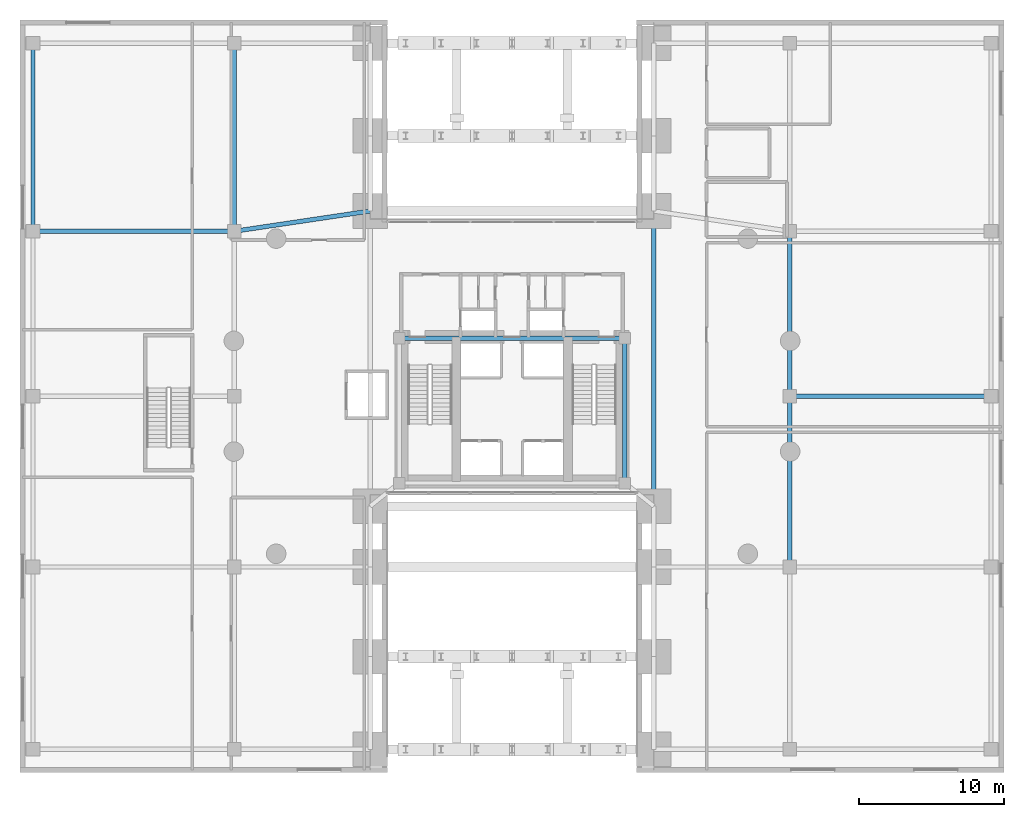
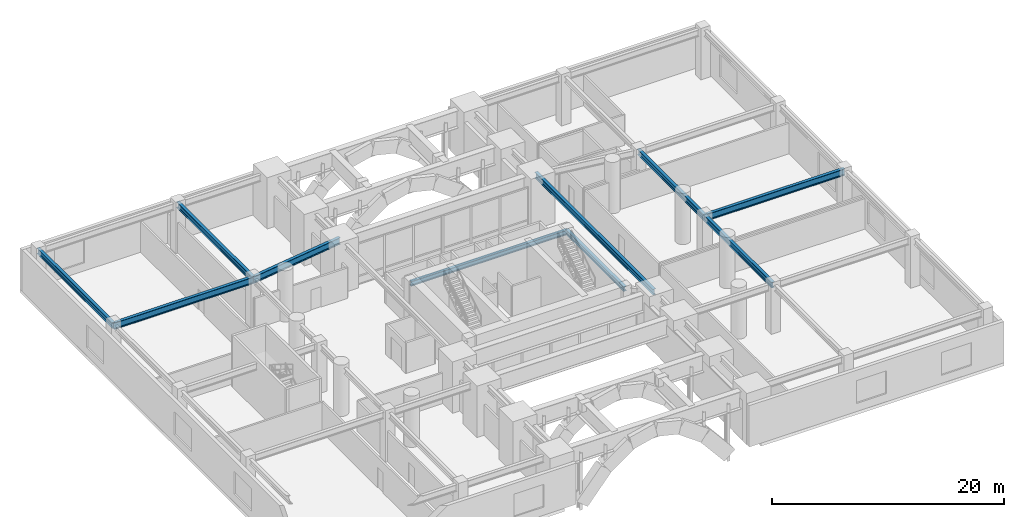
# One storey, part 7 of 18: 10 beams.
"""IFC4 building model written with IfcOpenShell, lengths in metres."""

import ifcopenshell
import ifcopenshell.guid

model = None  # the IFC model being written
_history = None  # IfcOwnerHistory: only IFC2X3 demands one
_inside = {}  # id of a spatial element -> (the spatial element, [elements in it])
_under = {}  # id of a project, library or spatial element -> (it, [spatial elements below it])
_declared = {}  # id of a project -> (the project, [libraries it declares])
_typed = {}  # id of a type object -> (the type object, [elements of that type])
_made_of = {}  # id of a material, layer set ... -> (it, [elements and type objects made of it])


def new_model(schema):
    """Start an empty IFC model of exactly this schema.

    Asked for "IFC4X3", IfcOpenShell would pick the latest addendum, in which some entities
    have other attributes; the version numbers below select the first issue.
    IFC2X3 requires an IfcOwnerHistory on every rooted entity: one is made here for all.
    """
    global model, _history
    if schema == "IFC4X3":
        model = ifcopenshell.file(schema_version=(4, 3, 0, 0))
    else:
        model = ifcopenshell.file(schema=schema)
    _inside.clear()
    _under.clear()
    _declared.clear()
    _typed.clear()
    _made_of.clear()
    _history = None
    if model.schema == "IFC2X3":
        org = make("IfcOrganization", Name="unknown")
        user = make(
            "IfcPersonAndOrganization",
            ThePerson=make("IfcPerson", FamilyName="unknown"),
            TheOrganization=org,
        )
        app = make(
            "IfcApplication",
            ApplicationDeveloper=org,
            Version="unknown",
            ApplicationFullName="unknown",
            ApplicationIdentifier="unknown",
        )
        _history = make(
            "IfcOwnerHistory",
            OwningUser=user,
            OwningApplication=app,
            ChangeAction="ADDED",
            CreationDate=0,
        )
    return model


def make(cls, **values):
    """One entity of the class cls with the attributes given. An attribute that is None is left unset."""
    return model.create_entity(
        cls, **{name: value for name, value in values.items() if value is not None}
    )


def rooted(cls, **values):
    """An entity with a GlobalId (a new one), such as an element, a storey or a relation."""
    return make(cls, GlobalId=ifcopenshell.guid.new(), OwnerHistory=_history, **values)


def si_unit(unit_type, name, prefix=None):
    """IfcSIUnit, for example si_unit("LENGTHUNIT", "METRE", prefix="MILLI")."""
    return make("IfcSIUnit", UnitType=unit_type, Prefix=prefix, Name=name)


def assignment(units):
    """IfcUnitAssignment: the units of a project."""
    return None if units is None else make("IfcUnitAssignment", Units=units)


def point(xyz):
    """IfcCartesianPoint."""
    return None if xyz is None else make("IfcCartesianPoint", Coordinates=xyz)


def direction(xyz):
    """IfcDirection."""
    return None if xyz is None else make("IfcDirection", DirectionRatios=xyz)


def frame(location, z_axis=None, x_axis=None):
    """IfcAxis2Placement3D, a coordinate frame: its origin and axes. An axis left out is left unset."""
    return make(
        "IfcAxis2Placement3D",
        Location=point(location),
        Axis=direction(z_axis),
        RefDirection=direction(x_axis),
    )


def frame_2d(location, x_axis=None):
    """IfcAxis2Placement2D, a coordinate frame in the plane: its origin and x axis."""
    return make(
        "IfcAxis2Placement2D", Location=point(location), RefDirection=direction(x_axis)
    )


def origin():
    """The frame at (0, 0, 0) with its axes left unset."""
    return frame((0.0, 0.0, 0.0))


def origin_2d():
    """The frame at (0, 0) in the plane with its x axis left unset."""
    return frame_2d((0.0, 0.0))


def place(relative_to, where):
    """IfcLocalPlacement: puts the frame where relative to a parent placement (None: the world)."""
    return make(
        "IfcLocalPlacement", PlacementRelTo=relative_to, RelativePlacement=where
    )


def context(
    kind, dimensions, precision=None, world=None, true_north=None, identifier=None
):
    """IfcGeometricRepresentationContext, for example the 3D "Model" context."""
    return make(
        "IfcGeometricRepresentationContext",
        ContextIdentifier=identifier,
        ContextType=kind,
        CoordinateSpaceDimension=dimensions,
        Precision=precision,
        WorldCoordinateSystem=world,
        TrueNorth=true_north,
    )


def subcontext(parent, identifier, kind, view, scale=None):
    """IfcGeometricRepresentationSubContext, for example "Body" below "Model"."""
    return make(
        "IfcGeometricRepresentationSubContext",
        ContextIdentifier=identifier,
        ContextType=kind,
        ParentContext=parent,
        TargetScale=scale,
        TargetView=view,
    )


def project(units=None, contexts=None):
    """IfcProject with its units and contexts."""
    return rooted(
        "IfcProject",
        Name="project",
        RepresentationContexts=contexts,
        UnitsInContext=assignment(units),
    )


def spatial(cls, under=None, at=None, **own):
    """A site, building, storey or space (cls), placed at a placement, below another one or the project."""
    s = rooted(cls, ObjectPlacement=at, **own)
    if under is not None:
        _under.setdefault(under.id(), (under, []))[1].append(s)
    return s


def profile(cls, at=None, kind="AREA", **sizes):
    """A parametric profile (cls). Its sizes go by their IFC names, for example OverallWidth=200.0."""
    return make(cls, ProfileType=kind, Position=at, **sizes)


def i_section(**sizes):
    """IfcIShapeProfileDef."""
    return profile("IfcIShapeProfileDef", **sizes)


def extrude(swept, where, along, depth):
    """IfcExtrudedAreaSolid: the profile swept, set in the frame where, extruded along a direction by depth."""
    return make(
        "IfcExtrudedAreaSolid",
        SweptArea=swept,
        Position=where,
        ExtrudedDirection=direction(along),
        Depth=depth,
    )


def shape(context_of_items, identifier, shape_type, items):
    """IfcShapeRepresentation: the items that make up one representation, for example the "Body"."""
    return make(
        "IfcShapeRepresentation",
        ContextOfItems=context_of_items,
        RepresentationIdentifier=identifier,
        RepresentationType=shape_type,
        Items=items,
    )


def material(Name=None, Category=None):
    """IfcMaterial."""
    return make("IfcMaterial", Name=Name, Category=Category)


def material_profile(
    of_material, cross_section, Name=None, Category=None, Priority=None
):
    """IfcMaterialProfile: a cross section and its material."""
    return make(
        "IfcMaterialProfile",
        Name=Name,
        Material=of_material,
        Profile=cross_section,
        Priority=Priority,
        Category=Category,
    )


def profile_set(profiles, Name=None, composite=None):
    """IfcMaterialProfileSet."""
    return make(
        "IfcMaterialProfileSet",
        Name=Name,
        MaterialProfiles=profiles,
        CompositeProfile=composite,
    )


def made_of(thing, what):
    """Note that an element or type object is made of a material, layer set ...; save() writes the relation."""
    if what is not None:
        _made_of.setdefault(what.id(), (what, []))[1].append(thing)
    return thing


def type_object(cls, material=None, **own):
    """A type object (cls), such as IfcWallType, which elements share."""
    return made_of(rooted(cls, **own), material)


def element(
    cls,
    number,
    at=None,
    inside=None,
    cuts=None,
    type_object=None,
    material=None,
    context=None,
    identifier="Body",
    shape_type=None,
    held_by="IfcProductDefinitionShape",
    body=None,
    shapes=None,
    **own,
):
    """One element of the class cls, such as IfcWall. Its Tag is "e" and its number.

    at: its placement. inside: the storey or other place that contains it. cuts: it is an
    opening in that element (IfcRelVoidsElement). A single representation is given by context,
    identifier, shape_type and body (its items); several are given by shapes. held_by: the class
    of the entity that holds the representations. save() writes the other relations.
    """
    e = rooted(cls, Tag="e%d" % number, ObjectPlacement=at, **own)
    if body is not None:
        shapes = [shape(context, identifier, shape_type, body)]
    if shapes is not None:
        e.Representation = make(held_by, Representations=shapes)
    if inside is not None:
        _inside.setdefault(inside.id(), (inside, []))[1].append(e)
    if cuts is not None:
        rooted(
            "IfcRelVoidsElement", RelatingBuildingElement=cuts, RelatedOpeningElement=e
        )
    if type_object is not None:
        _typed.setdefault(type_object.id(), (type_object, []))[1].append(e)
    return made_of(e, material)


def aggregate(whole, parts):
    """IfcRelAggregates: a whole, such as a stair, and the parts it consists of."""
    return rooted("IfcRelAggregates", RelatingObject=whole, RelatedObjects=parts)


def save(model, path):
    """Write the relations noted so far, then the file.

    IfcRelAggregates (storeys below a building ...), IfcRelContainedInSpatialStructure (elements
    in a storey), IfcRelDefinesByType, IfcRelAssociatesMaterial and IfcRelDeclares: one each for
    every whole, place, type object, material and project.
    """
    for whole, parts in _under.values():
        aggregate(whole, parts)
    for where, things in _inside.values():
        rooted(
            "IfcRelContainedInSpatialStructure",
            RelatedElements=things,
            RelatingStructure=where,
        )
    for kind, things in _typed.values():
        rooted("IfcRelDefinesByType", RelatedObjects=things, RelatingType=kind)
    for what, things in _made_of.values():
        rooted("IfcRelAssociatesMaterial", RelatedObjects=things, RelatingMaterial=what)
    for by, libraries in _declared.values():
        rooted("IfcRelDeclares", RelatingContext=by, RelatedDefinitions=libraries)
    model.write(path)


model = new_model("IFC4")

# Units and contexts
model_context = context("Model", 3, precision=1e-05, world=origin(), true_north=direction((0.0, 1.0)))
body_context = subcontext(model_context, "Body", "Model", "MODEL_VIEW")
ifc_project = project(units=[si_unit("LENGTHUNIT", "METRE"), si_unit("AREAUNIT", "SQUARE_METRE"), si_unit("VOLUMEUNIT", "CUBIC_METRE"), si_unit("PLANEANGLEUNIT", "RADIAN"), si_unit("MASSUNIT", "GRAM", prefix="KILO"), si_unit("THERMODYNAMICTEMPERATUREUNIT", "KELVIN"), si_unit("POWERUNIT", "WATT")], contexts=[model_context])

# Site, building, storey
site_placement = place(None, origin())
site = spatial("IfcSite", under=ifc_project, at=site_placement, CompositionType="ELEMENT")
building_placement = place(site_placement, origin())
building = spatial("IfcBuilding", under=site, at=building_placement, Name="Ocrelia Relay Tower", CompositionType="ELEMENT")
storey_placement = place(building_placement, frame((0.0, 0.0, 10.199951171875)))
storey = spatial("IfcBuildingStorey", under=building, at=storey_placement, Name="L02", CompositionType="ELEMENT", Elevation=10.199951171875)

# Beams
ifc_material = material(Name="Steel S355", Category="steel")
ifc_material_profile_1 = material_profile(ifc_material, i_section(OverallWidth=0.300048828125, OverallDepth=0.5, WebThickness=0.014404296875, FlangeThickness=0.028076171875, FilletRadius=0.027099609375, at=origin_2d()), Name="HEB 500")
ifc_profile_set_1 = profile_set([ifc_material_profile_1], Name="Steel S355")
beam_type_1 = type_object("IfcBeamType", Name="BM-HEB500", PredefinedType="BEAM", material=ifc_profile_set_1)
beam_1_placement = place(storey_placement, frame((26.199951171875, 30.0, 4.830078125), z_axis=(1.0, 0.0, 0.0), x_axis=(0.0, 1.0, 0.0)))
element("IfcBeam", 1, at=beam_1_placement, inside=storey, type_object=beam_type_1, Name="L02 Core Pilaster Tie Beam N", PredefinedType="BEAM", context=body_context, shape_type="SweptSolid", body=[
    extrude(i_section(OverallWidth=0.300048828125, OverallDepth=0.5, WebThickness=0.014404296875, FlangeThickness=0.028076171875, FilletRadius=0.027099609375, at=origin_2d()), origin(), (0.0, 0.0, 1.0), 15.60009765625),
])
beam_2_placement = place(storey_placement, frame((41.800048828125, 20.0, 4.830078125), z_axis=(0.0, 1.0, 0.0), x_axis=(-1.0, 0.0, 0.0)))
element("IfcBeam", 2, at=beam_2_placement, inside=storey, type_object=beam_type_1, Name="L02 Core Pilaster Tie Beam E", PredefinedType="BEAM", context=body_context, shape_type="SweptSolid", body=[
    extrude(i_section(OverallWidth=0.300048828125, OverallDepth=0.5, WebThickness=0.014404296875, FlangeThickness=0.028076171875, FilletRadius=0.027099609375, at=origin_2d()), origin(), (0.0, 0.0, 1.0), 10.0),
])
ifc_material_profile_2 = material_profile(ifc_material, i_section(OverallWidth=0.300048828125, OverallDepth=0.60009765625, WebThickness=0.015380859375, FlangeThickness=0.030029296875, FilletRadius=0.027099609375, at=origin_2d()), Name="HEB 600")
ifc_profile_set_2 = profile_set([ifc_material_profile_2], Name="Steel S355")
beam_type_2 = type_object("IfcBeamType", Name="BM-HEB600", PredefinedType="BEAM", material=ifc_profile_set_2)
for number, where, z_axis, x_axis, name in (
    (3, (0.89990234375, 37.39990234375, 4.780029296875), (0.0, 1.0, 0.0), (-1.0, 0.0, 0.0), "L02 Podium Span Girder W-4"),
    (4, (14.800048828125, 37.39990234375, 4.780029296875), (0.0, 1.0, 0.0), (-1.0, 0.0, 0.0), "L02 Podium Span Girder IW-4"),
):
    element("IfcBeam", number, at=place(storey_placement, frame(where, z_axis=z_axis, x_axis=x_axis)), inside=storey, type_object=beam_type_2, Name=name, PredefinedType="BEAM", context=body_context, shape_type="SweptSolid", body=[
        extrude(i_section(OverallWidth=0.300048828125, OverallDepth=0.60009765625, WebThickness=0.015380859375, FlangeThickness=0.030029296875, FilletRadius=0.027099609375, at=origin_2d()), origin(), (0.0, 0.0, 1.0), 13.0),
    ])
beam_3_placement = place(storey_placement, frame((53.199951171875, 14.199951171875, 4.780029296875), z_axis=(0.0, 1.0, 0.0), x_axis=(-1.0, 0.0, 0.0)))
element("IfcBeam", 5, at=beam_3_placement, inside=storey, type_object=beam_type_2, Name="L02 Podium Span Girder IE-2", PredefinedType="BEAM", context=body_context, shape_type="SweptSolid", body=[
    extrude(i_section(OverallWidth=0.300048828125, OverallDepth=0.60009765625, WebThickness=0.015380859375, FlangeThickness=0.030029296875, FilletRadius=0.027099609375, at=origin_2d()), origin(), (0.0, 0.0, 1.0), 11.800048828125),
])
beam_4_placement = place(storey_placement, frame((53.199951171875, 26.0, 4.780029296875), z_axis=(0.0, 1.0, 0.0), x_axis=(-1.0, 0.0, 0.0)))
element("IfcBeam", 6, at=beam_4_placement, inside=storey, type_object=beam_type_2, Name="L02 Podium Span Girder IE-3", PredefinedType="BEAM", context=body_context, shape_type="SweptSolid", body=[
    extrude(i_section(OverallWidth=0.300048828125, OverallDepth=0.60009765625, WebThickness=0.015380859375, FlangeThickness=0.030029296875, FilletRadius=0.027099609375, at=origin_2d()), origin(), (0.0, 0.0, 1.0), 11.39990234375),
])
beam_5_placement = place(storey_placement, frame((43.800048828125, 18.39990234375, 4.780029296875), z_axis=(0.0, 1.0, 0.0), x_axis=(-1.0, 0.0, 0.0)))
element("IfcBeam", 7, at=beam_5_placement, inside=storey, type_object=beam_type_2, Name="L02 Pier Line Tie Girder AE-6", PredefinedType="BEAM", context=body_context, shape_type="SweptSolid", body=[
    extrude(i_section(OverallWidth=0.300048828125, OverallDepth=0.60009765625, WebThickness=0.015380859375, FlangeThickness=0.030029296875, FilletRadius=0.027099609375, at=origin_2d()), origin(), (0.0, 0.0, 1.0), 20.400146484375),
])
ifc_material_profile_3 = material_profile(ifc_material, i_section(OverallWidth=0.300048828125, OverallDepth=0.699951171875, WebThickness=0.01708984375, FlangeThickness=0.031982421875, FilletRadius=0.027099609375, at=origin_2d()), Name="HEB 700")
ifc_profile_set_3 = profile_set([ifc_material_profile_3], Name="Steel S355")
beam_type_3 = type_object("IfcBeamType", Name="BM-HEB700", PredefinedType="BEAM", material=ifc_profile_set_3)
beam_6_placement = place(storey_placement, frame((0.89990234375, 37.39990234375, 4.72998046875), z_axis=(1.0, 0.0, 0.0), x_axis=(0.0, 1.0, 0.0)))
element("IfcBeam", 8, at=beam_6_placement, inside=storey, type_object=beam_type_3, Name="L02 West Outer Podium Girder M2", PredefinedType="BEAM", context=body_context, shape_type="SweptSolid", body=[
    extrude(i_section(OverallWidth=0.300048828125, OverallDepth=0.699951171875, WebThickness=0.01708984375, FlangeThickness=0.031982421875, FilletRadius=0.027099609375, at=origin_2d()), origin(), (0.0, 0.0, 1.0), 13.900146484375),
])
beam_7_placement = place(storey_placement, frame((14.800048828125, 37.39990234375, 4.72998046875), z_axis=(0.989087708935, 0.14732787935, 0.0), x_axis=(-0.14732787935, 0.989087708935, 0.0)))
element("IfcBeam", 9, at=beam_7_placement, inside=storey, type_object=beam_type_3, Name="L02 West Inner Podium Girder M2", PredefinedType="BEAM", context=body_context, shape_type="SweptSolid", body=[
    extrude(i_section(OverallWidth=0.300048828125, OverallDepth=0.699951171875, WebThickness=0.01708984375, FlangeThickness=0.031982421875, FilletRadius=0.027099609375, at=origin_2d()), origin(), (0.0, 0.0, 1.0), 9.503662109375),
])
beam_8_placement = place(storey_placement, frame((53.199951171875, 26.0, 4.72998046875), z_axis=(1.0, 0.0, 0.0), x_axis=(0.0, 1.0, 0.0)))
element("IfcBeam", 10, at=beam_8_placement, inside=storey, type_object=beam_type_3, Name="L02 East Mid Podium Girder", PredefinedType="BEAM", context=body_context, shape_type="SweptSolid", body=[
    extrude(i_section(OverallWidth=0.300048828125, OverallDepth=0.699951171875, WebThickness=0.01708984375, FlangeThickness=0.031982421875, FilletRadius=0.027099609375, at=origin_2d()), origin(), (0.0, 0.0, 1.0), 13.900146484375),
])

save(model, "model.ifc")
